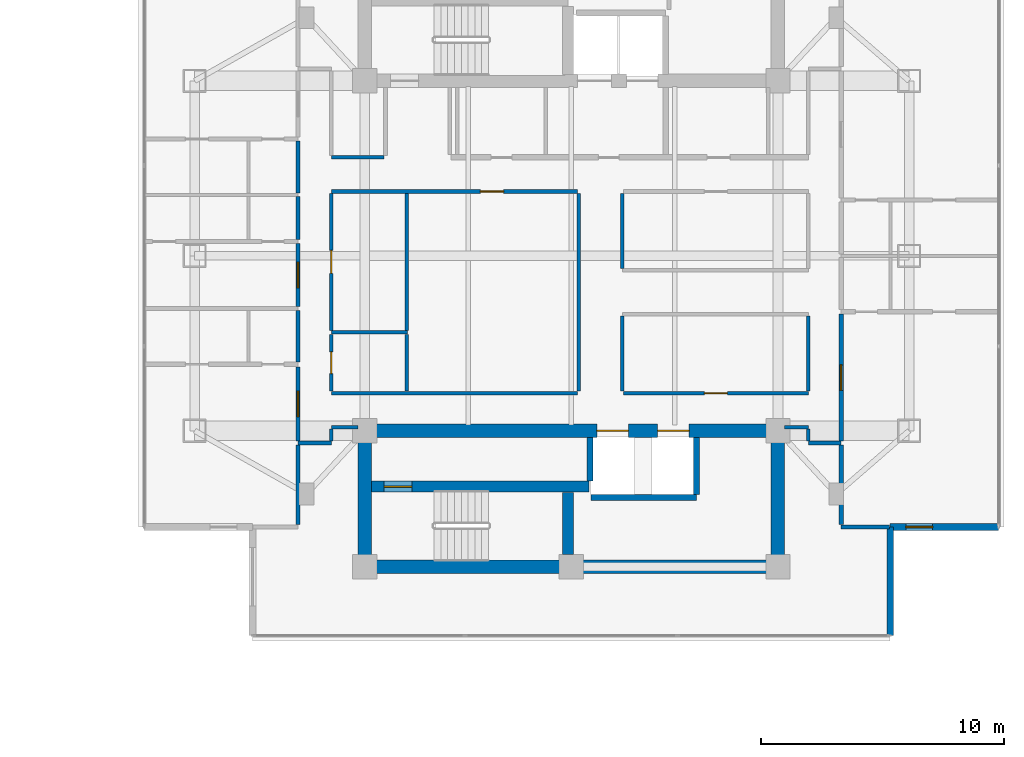
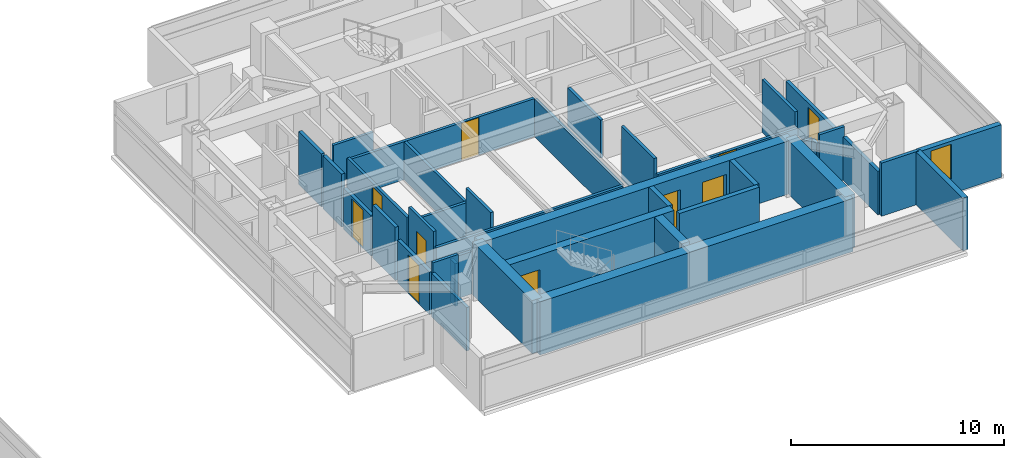
# One storey, part 16 of 24: 39 walls, 10 doors, 1 window, 11 openings.
"""IFC4 building model written with IfcOpenShell, lengths in metres."""

from ifc_helpers import new_model, si_unit, direction, frame, frame_2d, origin, place, context, subcontext, project, spatial, rectangle, extrude, material, layer, layer_set, type_object, element, fill, save


model = new_model("IFC4")

# Units and contexts
model_context = context("Model", 3, precision=1e-05, world=origin(), true_north=direction((0.0, 1.0)))
body_context = subcontext(model_context, "Body", "Model", "MODEL_VIEW")
ifc_project = project(units=[si_unit("LENGTHUNIT", "METRE"), si_unit("AREAUNIT", "SQUARE_METRE"), si_unit("VOLUMEUNIT", "CUBIC_METRE"), si_unit("PLANEANGLEUNIT", "RADIAN"), si_unit("MASSUNIT", "GRAM", prefix="KILO")], contexts=[model_context])

# Site, building, storey
site_placement = place(None, origin())
site = spatial("IfcSite", under=ifc_project, at=site_placement, CompositionType="ELEMENT")
building_placement = place(site_placement, origin())
building = spatial("IfcBuilding", under=site, at=building_placement, Name="Mirazonda Arch Towers", CompositionType="ELEMENT")
storey_placement = place(building_placement, frame((0.0, 0.0, 167.39990234375)))
storey = spatial("IfcBuildingStorey", under=building, at=storey_placement, Name="L47", CompositionType="ELEMENT", Elevation=167.39990234375)

# Wall, opening, door
ifc_material_1 = material(Name="Concrete C50/60", Category="concrete")
ifc_layer_1 = layer(ifc_material_1, 0.449951171875, Name="WALL-CORE-450")
ifc_layer_set_1 = layer_set([ifc_layer_1], Name="Concrete C50/60")
wall_type_1 = type_object("IfcWallType", Name="WALL-CORE-450", PredefinedType="SHEAR", material=ifc_layer_set_1)
wall_1_placement = place(storey_placement, frame((68.27001953125, 18.5, 0.0), z_axis=(0.0, 0.0, 1.0), x_axis=(1.0, 0.0, 0.0)))
wall_1 = element("IfcWall", 1, at=wall_1_placement, inside=storey, type_object=wall_type_1, Name="L47 Stair Core Shear Wall 013", PredefinedType="SHEAR", context=body_context, shape_type="SweptSolid", body=[
    extrude(rectangle(XDim=8.949951171875, YDim=0.449951171875, at=frame_2d((4.47509765625, 0.0))), origin(), (0.0, 0.0, 1.0), 3.050048828125),
])
opening_1_placement = place(wall_1_placement, frame((0.52001953125, 0.0, 0.0)))
opening_1 = element("IfcOpeningElement", 2, at=opening_1_placement, cuts=wall_1, Name="Opening DR-135", PredefinedType="OPENING", context=body_context, shape_type="SweptSolid", body=[
    extrude(rectangle(XDim=1.14990234375, YDim=2.199951171875, at=frame_2d((0.574951171875, 1.10009765625))), frame((0.0, 0.23486328125, 0.0), z_axis=(0.0, -1.0, 0.0), x_axis=(1.0, 0.0, 0.0)), (0.0, 0.0, 1.0), 0.469970703125),
])
ifc_material_2 = material(Name="Architectural Brushed Steel S355", Category="steel")
door_type_1 = type_object("IfcDoorType", Name="DOOR-STAIR-FD90-1150", OperationType="NOTDEFINED", PredefinedType="DOOR", material=ifc_material_2)
door_1_placement = place(opening_1_placement, origin())
door_1 = element("IfcDoor", 3, at=door_1_placement, inside=storey, type_object=door_type_1, Name="L47 East Protected Stair South Door", OperationType="SINGLE_SWING_RIGHT", OverallHeight=2.199951171875, OverallWidth=1.14990234375, PredefinedType="DOOR", context=body_context, shape_type="SweptSolid", body=[
    extrude(rectangle(XDim=1.14990234375, YDim=2.199951171875, at=frame_2d((0.574951171875, 1.10009765625))), frame((0.0, 0.02490234375, 0.0), z_axis=(0.0, -1.0, 0.0), x_axis=(1.0, 0.0, 0.0)), (0.0, 0.0, 1.0), 0.050048828125),
])
fill(opening_1, door_1)

# Walls
wall_2_placement = place(storey_placement, frame((76.360107421875, 15.715087890625, 0.0), z_axis=(0.0, 0.0, 1.0), x_axis=(0.0, 1.0, 0.0)))
element("IfcWall", 4, at=wall_2_placement, inside=storey, type_object=wall_type_1, Name="L47 Stair Core Shear Wall 137", PredefinedType="SHEAR", context=body_context, shape_type="SweptSolid", body=[
    extrude(rectangle(XDim=2.5498046875, YDim=0.449951171875, at=frame_2d((1.27490234375, 0.0))), origin(), (0.0, 0.0, 1.0), 3.050048828125),
])
ifc_layer_2 = layer(ifc_material_1, 0.550048828125, Name="WALL-CORE-550")
ifc_layer_set_2 = layer_set([ifc_layer_2], Name="Concrete C50/60")
wall_type_2 = type_object("IfcWallType", Name="WALL-CORE-550", PredefinedType="SHEAR", material=ifc_layer_set_2)
wall_3_placement = place(storey_placement, frame((68.0, 15.199951171875, 0.0), z_axis=(0.0, 0.0, 1.0), x_axis=(1.0, 0.0, 0.0)))
element("IfcWall", 5, at=wall_3_placement, inside=storey, type_object=wall_type_2, Name="L47 T2S-S Core Shear Wall", PredefinedType="SHEAR", context=body_context, shape_type="SweptSolid", body=[
    extrude(rectangle(XDim=17.0, YDim=0.550048828125, at=frame_2d((8.5, 0.0))), origin(), (0.0, 0.0, 1.0), 3.050048828125),
])
for number, where, z_axis, x_axis, name in (
    (6, (68.0, 15.199951171875, 0.0), (0.0, 0.0, 1.0), (0.0, 1.0, 0.0), "L47 T2S-W Core Shear Wall"),
    (7, (85.0, 15.199951171875, 0.0), (0.0, 0.0, 1.0), (0.0, 1.0, 0.0), "L47 T2S-E Core Shear Wall"),
):
    element("IfcWall", number, at=place(storey_placement, frame(where, z_axis=z_axis, x_axis=x_axis)), inside=storey, type_object=wall_type_2, Name=name, PredefinedType="SHEAR", context=body_context, shape_type="SweptSolid", body=[
        extrude(rectangle(XDim=5.60009765625, YDim=0.550048828125, at=frame_2d((2.800048828125, 0.0))), origin(), (0.0, 0.0, 1.0), 3.050048828125),
    ])

# Wall, openings, doors
wall_4_placement = place(storey_placement, frame((68.0, 20.800048828125, 0.0), z_axis=(0.0, 0.0, 1.0), x_axis=(1.0, 0.0, 0.0)))
wall_4 = element("IfcWall", 8, at=wall_4_placement, inside=storey, type_object=wall_type_2, Name="L47 T2S-N Core Shear Wall", PredefinedType="SHEAR", context=body_context, shape_type="SweptSolid", body=[
    extrude(rectangle(XDim=17.0, YDim=0.550048828125, at=frame_2d((8.5, 0.0))), origin(), (0.0, 0.0, 1.0), 3.050048828125),
])
opening_2_placement = place(wall_4_placement, frame((9.550048828125, 0.0, 0.0)))
opening_2 = element("IfcOpeningElement", 9, at=opening_2_placement, cuts=wall_4, Name="Opening LD-111", PredefinedType="OPENING", context=body_context, shape_type="SweptSolid", body=[
    extrude(rectangle(XDim=1.300048828125, YDim=2.300048828125, at=frame_2d((0.64990234375, 1.14990234375))), frame((0.0, 0.284912109375, 0.0), z_axis=(0.0, -1.0, 0.0), x_axis=(1.0, 0.0, 0.0)), (0.0, 0.0, 1.0), 0.570068359375),
])
opening_3_placement = place(wall_4_placement, frame((12.050048828125, 0.0, 0.0)))
opening_3 = element("IfcOpeningElement", 10, at=opening_3_placement, cuts=wall_4, Name="Opening LD-111", PredefinedType="OPENING", context=body_context, shape_type="SweptSolid", body=[
    extrude(rectangle(XDim=1.300048828125, YDim=2.300048828125, at=frame_2d((0.64990234375, 1.14990234375))), frame((0.0, 0.284912109375, 0.0), z_axis=(0.0, -1.0, 0.0), x_axis=(1.0, 0.0, 0.0)), (0.0, 0.0, 1.0), 0.570068359375),
])
door_type_2 = type_object("IfcDoorType", Name="DOOR-LIFT-LAND-1300", OperationType="NOTDEFINED", PredefinedType="DOOR", material=ifc_material_2)
door_2_placement = place(opening_2_placement, origin())
door_2 = element("IfcDoor", 11, at=door_2_placement, inside=storey, type_object=door_type_2, Name="L47 Lift Landing Sliding Door PL-T2H1", OperationType="DOUBLE_DOOR_SLIDING", OverallHeight=2.300048828125, OverallWidth=1.300048828125, PredefinedType="DOOR", context=body_context, shape_type="SweptSolid", body=[
    extrude(rectangle(XDim=1.300048828125, YDim=2.300048828125, at=frame_2d((0.64990234375, 1.14990234375))), frame((0.0, 0.02490234375, 0.0), z_axis=(0.0, -1.0, 0.0), x_axis=(1.0, 0.0, 0.0)), (0.0, 0.0, 1.0), 0.050048828125),
])
fill(opening_2, door_2)
door_3_placement = place(opening_3_placement, origin())
door_3 = element("IfcDoor", 12, at=door_3_placement, inside=storey, type_object=door_type_2, Name="L47 Lift Landing Sliding Door PL-T2H2", OperationType="DOUBLE_DOOR_SLIDING", OverallHeight=2.300048828125, OverallWidth=1.300048828125, PredefinedType="DOOR", context=body_context, shape_type="SweptSolid", body=[
    extrude(rectangle(XDim=1.300048828125, YDim=2.300048828125, at=frame_2d((0.64990234375, 1.14990234375))), frame((0.0, 0.02490234375, 0.0), z_axis=(0.0, -1.0, 0.0), x_axis=(1.0, 0.0, 0.0)), (0.0, 0.0, 1.0), 0.050048828125),
])
fill(opening_3, door_3)

# Wall, opening, window
ifc_material_3 = material(Name="Precast Concrete C40/50", Category="concrete")
ifc_layer_3 = layer(ifc_material_3, 0.280029296875, Name="WALL-EXT-WALL-280")
ifc_layer_set_3 = layer_set([ifc_layer_3], Name="Precast Concrete C40/50")
wall_type_3 = type_object("IfcWallType", Name="WALL-EXT-WALL-280", PredefinedType="SOLIDWALL", material=ifc_layer_set_3)
wall_5_placement = place(storey_placement, frame((89.619384765625, 16.840576171875, 0.0), z_axis=(0.0, 0.0, 1.0), x_axis=(1.0, 0.0, 0.0)))
wall_5 = element("IfcWall", 13, at=wall_5_placement, inside=storey, type_object=wall_type_3, Name="L47 T2 Corner Notch Return Wall WL-L47-T2-CSE1", PredefinedType="SOLIDWALL", context=body_context, shape_type="SweptSolid", body=[
    extrude(rectangle(XDim=4.465087890625, YDim=0.280029296875, at=frame_2d((2.232421875, 0.0))), origin(), (0.0, 0.0, 1.0), 3.030029296875),
])
opening_4_placement = place(wall_5_placement, frame((0.64990234375, 0.0, 0.85009765625)))
opening_4 = element("IfcOpeningElement", 14, at=opening_4_placement, cuts=wall_5, Name="Opening WN-108", PredefinedType="OPENING", context=body_context, shape_type="SweptSolid", body=[
    extrude(rectangle(XDim=1.10009765625, YDim=2.0, at=frame_2d((0.550048828125, 1.0))), frame((0.0, 0.14990234375, 0.0), z_axis=(0.0, -1.0, 0.0), x_axis=(1.0, 0.0, 0.0)), (0.0, 0.0, 1.0), 0.300048828125),
])
ifc_material_4 = material(Name="Insulated Low-E Solar Glass", Category="glass")
window_type = type_object("IfcWindowType", Name="WIN-NOTCH-1100x2000", PartitioningType="SINGLE_PANEL", PredefinedType="WINDOW", material=ifc_material_4)
window_placement = place(opening_4_placement, origin())
window = element("IfcWindow", 15, at=window_placement, inside=storey, type_object=window_type, Name="L47 Punched Facade Window WN-L47-T2-CSE1", OverallHeight=2.0, OverallWidth=1.10009765625, PartitioningType="SINGLE_PANEL", PredefinedType="WINDOW", context=body_context, shape_type="SweptSolid", body=[
    extrude(rectangle(XDim=1.10009765625, YDim=2.0, at=frame_2d((0.550048828125, 1.0))), frame((0.0, 0.030029296875, 0.0), z_axis=(0.0, -1.0, 0.0), x_axis=(1.0, 0.0, 0.0)), (0.0, 0.0, 1.0), 0.06005859375),
])
fill(opening_4, window)

# Walls
wall_6_placement = place(storey_placement, frame((89.619384765625, 12.375244140625, 0.0), z_axis=(0.0, 0.0, 1.0), x_axis=(0.0, 1.0, 0.0)))
element("IfcWall", 16, at=wall_6_placement, inside=storey, type_object=wall_type_3, Name="L47 T2 Corner Notch Return Wall WL-L47-T2-CSE2", PredefinedType="SOLIDWALL", context=body_context, shape_type="SweptSolid", body=[
    extrude(rectangle(XDim=4.46533203125, YDim=0.280029296875, at=frame_2d((2.232666015625, 0.0))), origin(), (0.0, 0.0, 1.0), 3.030029296875),
])
ifc_material_5 = material(Name="Fire-Rated Gypsum Stud Partition")
ifc_layer_4 = layer(ifc_material_5, 0.14990234375, Name="WALL-PART-CORR-150")
ifc_layer_set_4 = layer_set([ifc_layer_4], Name="Fire-Rated Gypsum Stud Partition")
wall_type_4 = type_object("IfcWallType", Name="WALL-PART-CORR-150", PredefinedType="PARTITIONING", material=ifc_layer_set_4)
wall_7_placement = place(storey_placement, frame((65.25, 20.300048828125, 0.0), z_axis=(0.0, 0.0, 1.0), x_axis=(1.0, 0.0, 0.0)))
element("IfcWall", 17, at=wall_7_placement, inside=storey, type_object=wall_type_4, Name="L47 Interior Partition 016", PredefinedType="PARTITIONING", context=body_context, shape_type="SweptSolid", body=[
    extrude(rectangle(XDim=1.3701171875, YDim=0.14990234375, at=frame_2d((0.68505859375, 0.0))), origin(), (0.0, 0.0, 1.0), 3.050048828125),
])
wall_8_placement = place(storey_placement, frame((86.25, 20.300048828125, 0.0), z_axis=(0.0, 0.0, 1.0), x_axis=(1.0, 0.0, 0.0)))
element("IfcWall", 18, at=wall_8_placement, inside=storey, type_object=wall_type_4, Name="L47 Interior Partition 017", PredefinedType="PARTITIONING", context=body_context, shape_type="SweptSolid", body=[
    extrude(rectangle(XDim=1.35009765625, YDim=0.14990234375, at=frame_2d((0.675048828125, 0.0))), origin(), (0.0, 0.0, 1.0), 3.050048828125),
])
wall_9_placement = place(storey_placement, frame((66.6201171875, 20.949951171875, 0.0), z_axis=(0.0, 0.0, 1.0), x_axis=(1.0, 0.0, 0.0)))
element("IfcWall", 19, at=wall_9_placement, inside=storey, type_object=wall_type_4, Name="L47 Interior Partition 018", PredefinedType="PARTITIONING", context=body_context, shape_type="SweptSolid", body=[
    extrude(rectangle(XDim=1.10986328125, YDim=0.14990234375, at=frame_2d((0.554931640625, 0.0))), origin(), (0.0, 0.0, 1.0), 2.442138671875),
])
wall_10_placement = place(storey_placement, frame((85.27001953125, 20.949951171875, 0.0), z_axis=(0.0, 0.0, 1.0), x_axis=(1.0, 0.0, 0.0)))
element("IfcWall", 20, at=wall_10_placement, inside=storey, type_object=wall_type_4, Name="L47 Interior Partition 019", PredefinedType="PARTITIONING", context=body_context, shape_type="SweptSolid", body=[
    extrude(rectangle(XDim=0.97998046875, YDim=0.14990234375, at=frame_2d((0.489990234375, 0.0))), origin(), (0.0, 0.0, 1.0), 2.442138671875),
])
wall_11_placement = place(storey_placement, frame((66.6201171875, 22.35009765625, 0.0), z_axis=(0.0, 0.0, 1.0), x_axis=(1.0, 0.0, 0.0)))
element("IfcWall", 21, at=wall_11_placement, inside=storey, type_object=wall_type_4, Name="L47 Interior Partition 021", PredefinedType="PARTITIONING", context=body_context, shape_type="SweptSolid", body=[
    extrude(rectangle(XDim=10.139892578125, YDim=0.14990234375, at=frame_2d((5.06982421875, 0.0))), origin(), (0.0, 0.0, 1.0), 2.18603515625),
])

# Wall, opening, door
wall_12_placement = place(storey_placement, frame((78.639892578125, 22.35009765625, 0.0), z_axis=(0.0, 0.0, 1.0), x_axis=(1.0, 0.0, 0.0)))
wall_12 = element("IfcWall", 22, at=wall_12_placement, inside=storey, type_object=wall_type_4, Name="L47 Interior Partition 022", PredefinedType="PARTITIONING", context=body_context, shape_type="SweptSolid", body=[
    extrude(rectangle(XDim=7.610107421875, YDim=0.14990234375, at=frame_2d((3.80517578125, 0.0))), origin(), (0.0, 0.0, 1.0), 2.18603515625),
])
opening_5_placement = place(wall_12_placement, frame((3.330078125, 0.0, 0.0)))
opening_5 = element("IfcOpeningElement", 23, at=opening_5_placement, cuts=wall_12, Name="Opening DR-104", PredefinedType="OPENING", context=body_context, shape_type="SweptSolid", body=[
    extrude(rectangle(XDim=0.949951171875, YDim=2.14990234375, at=frame_2d((0.47509765625, 1.074951171875))), frame((0.0, 0.0849609375, 0.0), z_axis=(0.0, -1.0, 0.0), x_axis=(1.0, 0.0, 0.0)), (0.0, 0.0, 1.0), 0.169921875),
])
door_type_3 = type_object("IfcDoorType", Name="DOOR-ROOM-950", OperationType="NOTDEFINED", PredefinedType="DOOR", material=ifc_material_2)
door_4_placement = place(opening_5_placement, origin())
door_4 = element("IfcDoor", 24, at=door_4_placement, inside=storey, type_object=door_type_3, Name="L47 L47 Tower 2 South-East Salon Door", OperationType="SINGLE_SWING_LEFT", OverallHeight=2.14990234375, OverallWidth=0.949951171875, PredefinedType="DOOR", context=body_context, shape_type="SweptSolid", body=[
    extrude(rectangle(XDim=0.949951171875, YDim=2.14990234375, at=frame_2d((0.47509765625, 1.074951171875))), frame((0.0, 0.02490234375, 0.0), z_axis=(0.0, -1.0, 0.0), x_axis=(1.0, 0.0, 0.0)), (0.0, 0.0, 1.0), 0.050048828125),
])
fill(opening_5, door_4)

# Wall
wall_13_placement = place(storey_placement, frame((66.6201171875, 24.85009765625, 0.0), z_axis=(0.0, 0.0, 1.0), x_axis=(1.0, 0.0, 0.0)))
element("IfcWall", 25, at=wall_13_placement, inside=storey, type_object=wall_type_4, Name="L47 Interior Partition 025", PredefinedType="PARTITIONING", context=body_context, shape_type="SweptSolid", body=[
    extrude(rectangle(XDim=3.1298828125, YDim=0.14990234375, at=frame_2d((1.56494140625, 0.0))), origin(), (0.0, 0.0, 1.0), 2.18603515625),
])

# Wall, opening, door
wall_14_placement = place(storey_placement, frame((66.6201171875, 30.64990234375, 0.0), z_axis=(0.0, 0.0, 1.0), x_axis=(1.0, 0.0, 0.0)))
wall_14 = element("IfcWall", 26, at=wall_14_placement, inside=storey, type_object=wall_type_4, Name="L47 Interior Partition 039", PredefinedType="PARTITIONING", context=body_context, shape_type="SweptSolid", body=[
    extrude(rectangle(XDim=10.139892578125, YDim=0.14990234375, at=frame_2d((5.06982421875, 0.0))), origin(), (0.0, 0.0, 1.0), 2.18603515625),
])
opening_6_placement = place(wall_14_placement, frame((6.139892578125, 0.0, 0.0)))
opening_6 = element("IfcOpeningElement", 27, at=opening_6_placement, cuts=wall_14, Name="Opening DR-104", PredefinedType="OPENING", context=body_context, shape_type="SweptSolid", body=[
    extrude(rectangle(XDim=0.949951171875, YDim=2.14990234375, at=frame_2d((0.47509765625, 1.074951171875))), frame((0.0, 0.0849609375, 0.0), z_axis=(0.0, -1.0, 0.0), x_axis=(1.0, 0.0, 0.0)), (0.0, 0.0, 1.0), 0.169921875),
])
door_5_placement = place(opening_6_placement, origin())
door_5 = element("IfcDoor", 28, at=door_5_placement, inside=storey, type_object=door_type_3, Name="L47 L47 East Courtyard Study Door", OperationType="SINGLE_SWING_RIGHT", OverallHeight=2.14990234375, OverallWidth=0.949951171875, PredefinedType="DOOR", context=body_context, shape_type="SweptSolid", body=[
    extrude(rectangle(XDim=0.949951171875, YDim=2.14990234375, at=frame_2d((0.47509765625, 1.074951171875))), frame((0.0, 0.02490234375, 0.0), z_axis=(0.0, -1.0, 0.0), x_axis=(1.0, 0.0, 0.0)), (0.0, 0.0, 1.0), 0.050048828125),
])
fill(opening_6, door_5)

# Walls
wall_15_placement = place(storey_placement, frame((66.6201171875, 32.050048828125, 0.0), z_axis=(0.0, 0.0, 1.0), x_axis=(1.0, 0.0, 0.0)))
element("IfcWall", 29, at=wall_15_placement, inside=storey, type_object=wall_type_4, Name="L47 Interior Partition 042", PredefinedType="PARTITIONING", context=body_context, shape_type="SweptSolid", body=[
    extrude(rectangle(XDim=2.179931640625, YDim=0.14990234375, at=frame_2d((1.08984375, 0.0))), origin(), (0.0, 0.0, 1.0), 2.18603515625),
])
wall_16_placement = place(storey_placement, frame((66.6201171875, 20.385009765625, 0.0), z_axis=(0.0, 0.0, 1.0), x_axis=(0.0, 1.0, 0.0)))
element("IfcWall", 30, at=wall_16_placement, inside=storey, type_object=wall_type_4, Name="L47 Interior Partition 127", PredefinedType="PARTITIONING", context=body_context, shape_type="SweptSolid", body=[
    extrude(rectangle(XDim=0.47998046875, YDim=0.14990234375, at=frame_2d((0.239990234375, 0.0))), origin(), (0.0, 0.0, 1.0), 2.442138671875),
])

# Wall, opening, door
wall_17_placement = place(storey_placement, frame((66.6201171875, 22.43505859375, 0.0), z_axis=(0.0, 0.0, 1.0), x_axis=(0.0, 1.0, 0.0)))
wall_17 = element("IfcWall", 31, at=wall_17_placement, inside=storey, type_object=wall_type_4, Name="L47 Interior Partition 128", PredefinedType="PARTITIONING", context=body_context, shape_type="SweptSolid", body=[
    extrude(rectangle(XDim=2.329833984375, YDim=0.14990234375, at=frame_2d((1.1650390625, 0.0))), origin(), (0.0, 0.0, 1.0), 3.050048828125),
])
opening_7_placement = place(wall_17_placement, frame((0.715087890625, 0.0, 0.0)))
opening_7 = element("IfcOpeningElement", 32, at=opening_7_placement, cuts=wall_17, Name="Opening DR-120", PredefinedType="OPENING", context=body_context, shape_type="SweptSolid", body=[
    extrude(rectangle(XDim=0.89990234375, YDim=2.10009765625, at=frame_2d((0.449951171875, 1.050048828125))), frame((0.0, 0.0849609375, 0.0), z_axis=(0.0, -1.0, 0.0), x_axis=(1.0, 0.0, 0.0)), (0.0, 0.0, 1.0), 0.169921875),
])
door_type_4 = type_object("IfcDoorType", Name="DOOR-WC-900", OperationType="NOTDEFINED", PredefinedType="DOOR", material=ifc_material_2)
door_6_placement = place(opening_7_placement, origin())
door_6 = element("IfcDoor", 33, at=door_6_placement, inside=storey, type_object=door_type_4, Name="L47 Tower 2 Common Accessible WC Door", OperationType="SINGLE_SWING_LEFT", OverallHeight=2.10009765625, OverallWidth=0.89990234375, PredefinedType="DOOR", context=body_context, shape_type="SweptSolid", body=[
    extrude(rectangle(XDim=0.89990234375, YDim=2.10009765625, at=frame_2d((0.449951171875, 1.050048828125))), frame((0.0, 0.02490234375, 0.0), z_axis=(0.0, -1.0, 0.0), x_axis=(1.0, 0.0, 0.0)), (0.0, 0.0, 1.0), 0.050048828125),
])
fill(opening_7, door_6)

wall_18_placement = place(storey_placement, frame((66.6201171875, 24.93505859375, 0.0), z_axis=(0.0, 0.0, 1.0), x_axis=(0.0, 1.0, 0.0)))
wall_18 = element("IfcWall", 34, at=wall_18_placement, inside=storey, type_object=wall_type_4, Name="L47 Interior Partition 129", PredefinedType="PARTITIONING", context=body_context, shape_type="SweptSolid", body=[
    extrude(rectangle(XDim=5.6298828125, YDim=0.14990234375, at=frame_2d((2.81494140625, 0.0))), origin(), (0.0, 0.0, 1.0), 2.34619140625),
])
opening_8_placement = place(wall_18_placement, frame((2.340087890625, 0.0, 0.0)))
opening_8 = element("IfcOpeningElement", 35, at=opening_8_placement, cuts=wall_18, Name="Opening DR-104", PredefinedType="OPENING", context=body_context, shape_type="SweptSolid", body=[
    extrude(rectangle(XDim=0.949951171875, YDim=2.14990234375, at=frame_2d((0.47509765625, 1.074951171875))), frame((0.0, 0.0849609375, 0.0), z_axis=(0.0, -1.0, 0.0), x_axis=(1.0, 0.0, 0.0)), (0.0, 0.0, 1.0), 0.169921875),
])
door_7_placement = place(opening_8_placement, origin())
door_7 = element("IfcDoor", 36, at=door_7_placement, inside=storey, type_object=door_type_3, Name="L47 L47 East Courtyard Reading Study Door", OperationType="SINGLE_SWING_LEFT", OverallHeight=2.14990234375, OverallWidth=0.949951171875, PredefinedType="DOOR", context=body_context, shape_type="SweptSolid", body=[
    extrude(rectangle(XDim=0.949951171875, YDim=2.14990234375, at=frame_2d((0.47509765625, 1.074951171875))), frame((0.0, 0.02490234375, 0.0), z_axis=(0.0, -1.0, 0.0), x_axis=(1.0, 0.0, 0.0)), (0.0, 0.0, 1.0), 0.050048828125),
])
fill(opening_8, door_7)

# Walls
wall_19_placement = place(storey_placement, frame((69.723388671875, 22.43505859375, 0.0), z_axis=(0.0, 0.0, 1.0), x_axis=(0.0, 1.0, 0.0)))
element("IfcWall", 37, at=wall_19_placement, inside=storey, type_object=wall_type_4, Name="L47 Interior Partition 132", PredefinedType="PARTITIONING", context=body_context, shape_type="SweptSolid", body=[
    extrude(rectangle(XDim=2.329833984375, YDim=0.14990234375, at=frame_2d((1.1650390625, 0.0))), origin(), (0.0, 0.0, 1.0), 3.050048828125),
])
wall_20_placement = place(storey_placement, frame((69.723388671875, 24.93505859375, 0.0), z_axis=(0.0, 0.0, 1.0), x_axis=(0.0, 1.0, 0.0)))
element("IfcWall", 38, at=wall_20_placement, inside=storey, type_object=wall_type_4, Name="L47 Interior Partition 133", PredefinedType="PARTITIONING", context=body_context, shape_type="SweptSolid", body=[
    extrude(rectangle(XDim=5.6298828125, YDim=0.14990234375, at=frame_2d((2.81494140625, 0.0))), origin(), (0.0, 0.0, 1.0), 2.18603515625),
])
wall_21_placement = place(storey_placement, frame((76.800048828125, 22.43505859375, 0.0), z_axis=(0.0, 0.0, 1.0), x_axis=(0.0, 1.0, 0.0)))
element("IfcWall", 39, at=wall_21_placement, inside=storey, type_object=wall_type_4, Name="L47 Interior Partition 139", PredefinedType="PARTITIONING", context=body_context, shape_type="SweptSolid", body=[
    extrude(rectangle(XDim=8.1298828125, YDim=0.14990234375, at=frame_2d((4.06494140625, 0.0))), origin(), (0.0, 0.0, 1.0), 2.18603515625),
])
wall_22_placement = place(storey_placement, frame((78.60009765625, 22.43505859375, 0.0), z_axis=(0.0, 0.0, 1.0), x_axis=(0.0, 1.0, 0.0)))
element("IfcWall", 40, at=wall_22_placement, inside=storey, type_object=wall_type_4, Name="L47 Interior Partition 141", PredefinedType="PARTITIONING", context=body_context, shape_type="SweptSolid", body=[
    extrude(rectangle(XDim=3.079833984375, YDim=0.14990234375, at=frame_2d((1.5400390625, 0.0))), origin(), (0.0, 0.0, 1.0), 3.050048828125),
])
wall_23_placement = place(storey_placement, frame((78.60009765625, 27.485107421875, 0.0), z_axis=(0.0, 0.0, 1.0), x_axis=(0.0, 1.0, 0.0)))
element("IfcWall", 41, at=wall_23_placement, inside=storey, type_object=wall_type_4, Name="L47 Interior Partition 142", PredefinedType="PARTITIONING", context=body_context, shape_type="SweptSolid", body=[
    extrude(rectangle(XDim=3.079833984375, YDim=0.14990234375, at=frame_2d((1.5400390625, 0.0))), origin(), (0.0, 0.0, 1.0), 2.18603515625),
])
wall_24_placement = place(storey_placement, frame((86.25, 20.385009765625, 0.0), z_axis=(0.0, 0.0, 1.0), x_axis=(0.0, 1.0, 0.0)))
element("IfcWall", 42, at=wall_24_placement, inside=storey, type_object=wall_type_4, Name="L47 Interior Partition 148", PredefinedType="PARTITIONING", context=body_context, shape_type="SweptSolid", body=[
    extrude(rectangle(XDim=0.47998046875, YDim=0.14990234375, at=frame_2d((0.239990234375, 0.0))), origin(), (0.0, 0.0, 1.0), 2.442138671875),
])
wall_25_placement = place(storey_placement, frame((86.25, 22.43505859375, 0.0), z_axis=(0.0, 0.0, 1.0), x_axis=(0.0, 1.0, 0.0)))
element("IfcWall", 43, at=wall_25_placement, inside=storey, type_object=wall_type_4, Name="L47 Interior Partition 149", PredefinedType="PARTITIONING", context=body_context, shape_type="SweptSolid", body=[
    extrude(rectangle(XDim=3.079833984375, YDim=0.14990234375, at=frame_2d((1.5400390625, 0.0))), origin(), (0.0, 0.0, 1.0), 3.050048828125),
])
ifc_material_6 = material(Name="Fire-Rated Gypsum Twin-Stud Assembly")
ifc_layer_5 = layer(ifc_material_6, 0.179931640625, Name="WALL-PART-DEMISE-180")
ifc_layer_set_5 = layer_set([ifc_layer_5], Name="Fire-Rated Gypsum Twin-Stud Assembly")
wall_type_5 = type_object("IfcWallType", Name="WALL-PART-DEMISE-180", PredefinedType="PARTITIONING", material=ifc_layer_set_5)
wall_26_placement = place(storey_placement, frame((87.60009765625, 16.840087890625, 0.0), z_axis=(0.0, 0.0, 1.0), x_axis=(1.0, 0.0, 0.0)))
element("IfcWall", 44, at=wall_26_placement, inside=storey, type_object=wall_type_5, Name="L47 Interior Partition 009", PredefinedType="PARTITIONING", context=body_context, shape_type="SweptSolid", body=[
    extrude(rectangle(XDim=1.999267578125, YDim=0.179931640625, at=frame_2d((0.99951171875, 0.0))), origin(), (0.0, 0.0, 1.0), 3.050048828125),
])
wall_27_placement = place(storey_placement, frame((65.25, 16.93994140625, 0.0), z_axis=(0.0, 0.0, 1.0), x_axis=(0.0, 1.0, 0.0)))
element("IfcWall", 45, at=wall_27_placement, inside=storey, type_object=wall_type_5, Name="L47 Interior Partition 119", PredefinedType="PARTITIONING", context=body_context, shape_type="SweptSolid", body=[
    extrude(rectangle(XDim=3.275146484375, YDim=0.179931640625, at=frame_2d((1.6376953125, 0.0))), origin(), (0.0, 0.0, 1.0), 2.4931640625),
])

# Wall, opening, door
wall_28_placement = place(storey_placement, frame((65.25, 20.385009765625, 0.0), z_axis=(0.0, 0.0, 1.0), x_axis=(0.0, 1.0, 0.0)))
wall_28 = element("IfcWall", 46, at=wall_28_placement, inside=storey, type_object=wall_type_5, Name="L47 Interior Partition 120", PredefinedType="PARTITIONING", context=body_context, shape_type="SweptSolid", body=[
    extrude(rectangle(XDim=3.049072265625, YDim=0.179931640625, at=frame_2d((1.5244140625, 0.0))), origin(), (0.0, 0.0, 1.0), 2.442138671875),
])
opening_9_placement = place(wall_28_placement, frame((0.99951171875, 0.0, 0.0)))
opening_9 = element("IfcOpeningElement", 47, at=opening_9_placement, cuts=wall_28, Name="Opening DR-121", PredefinedType="OPENING", context=body_context, shape_type="SweptSolid", body=[
    extrude(rectangle(XDim=1.050048828125, YDim=2.199951171875, at=frame_2d((0.52490234375, 1.10009765625))), frame((0.0, 0.099853515625, 0.0), z_axis=(0.0, -1.0, 0.0), x_axis=(1.0, 0.0, 0.0)), (0.0, 0.0, 1.0), 0.199951171875),
])
door_type_5 = type_object("IfcDoorType", Name="DOOR-SUITE-FD60-1050", OperationType="NOTDEFINED", PredefinedType="DOOR", material=ifc_material_2)
door_8_placement = place(opening_9_placement, origin())
door_8 = element("IfcDoor", 48, at=door_8_placement, inside=storey, type_object=door_type_5, Name="L47 Studio Apartment 1 Living Salon Door", OperationType="SINGLE_SWING_RIGHT", OverallHeight=2.199951171875, OverallWidth=1.050048828125, PredefinedType="DOOR", context=body_context, shape_type="SweptSolid", body=[
    extrude(rectangle(XDim=1.050048828125, YDim=2.199951171875, at=frame_2d((0.52490234375, 1.10009765625))), frame((0.0, 0.02490234375, 0.0), z_axis=(0.0, -1.0, 0.0), x_axis=(1.0, 0.0, 0.0)), (0.0, 0.0, 1.0), 0.050048828125),
])
fill(opening_9, door_8)

# Wall
wall_29_placement = place(storey_placement, frame((65.25, 23.634033203125, 0.0), z_axis=(0.0, 0.0, 1.0), x_axis=(0.0, 1.0, 0.0)))
element("IfcWall", 49, at=wall_29_placement, inside=storey, type_object=wall_type_5, Name="L47 Interior Partition 121", PredefinedType="PARTITIONING", context=body_context, shape_type="SweptSolid", body=[
    extrude(rectangle(XDim=2.114990234375, YDim=0.179931640625, at=frame_2d((1.0576171875, 0.0))), origin(), (0.0, 0.0, 1.0), 3.050048828125),
])

# Wall, opening, door
wall_30_placement = place(storey_placement, frame((65.25, 25.9189453125, 0.0), z_axis=(0.0, 0.0, 1.0), x_axis=(0.0, 1.0, 0.0)))
wall_30 = element("IfcWall", 50, at=wall_30_placement, inside=storey, type_object=wall_type_5, Name="L47 Interior Partition 122", PredefinedType="PARTITIONING", context=body_context, shape_type="SweptSolid", body=[
    extrude(rectangle(XDim=2.583984375, YDim=0.179931640625, at=frame_2d((1.2919921875, 0.0))), origin(), (0.0, 0.0, 1.0), 2.34619140625),
])
opening_10_placement = place(wall_30_placement, frame((0.76708984375, 0.0, 0.0)))
opening_10 = element("IfcOpeningElement", 51, at=opening_10_placement, cuts=wall_30, Name="Opening DR-121", PredefinedType="OPENING", context=body_context, shape_type="SweptSolid", body=[
    extrude(rectangle(XDim=1.050048828125, YDim=2.199951171875, at=frame_2d((0.52490234375, 1.10009765625))), frame((0.0, 0.099853515625, 0.0), z_axis=(0.0, -1.0, 0.0), x_axis=(1.0, 0.0, 0.0)), (0.0, 0.0, 1.0), 0.199951171875),
])
door_9_placement = place(opening_10_placement, origin())
door_9 = element("IfcDoor", 52, at=door_9_placement, inside=storey, type_object=door_type_5, Name="L47 Studio Apartment 2 Living Salon Door", OperationType="SINGLE_SWING_LEFT", OverallHeight=2.199951171875, OverallWidth=1.050048828125, PredefinedType="DOOR", context=body_context, shape_type="SweptSolid", body=[
    extrude(rectangle(XDim=1.050048828125, YDim=2.199951171875, at=frame_2d((0.52490234375, 1.10009765625))), frame((0.0, 0.02490234375, 0.0), z_axis=(0.0, -1.0, 0.0), x_axis=(1.0, 0.0, 0.0)), (0.0, 0.0, 1.0), 0.050048828125),
])
fill(opening_10, door_9)

# Walls
wall_31_placement = place(storey_placement, frame((65.25, 28.673095703125, 0.0), z_axis=(0.0, 0.0, 1.0), x_axis=(0.0, 1.0, 0.0)))
element("IfcWall", 53, at=wall_31_placement, inside=storey, type_object=wall_type_5, Name="L47 Interior Partition 123", PredefinedType="PARTITIONING", context=body_context, shape_type="SweptSolid", body=[
    extrude(rectangle(XDim=1.762451171875, YDim=0.179931640625, at=frame_2d((0.88134765625, 0.0))), origin(), (0.0, 0.0, 1.0), 3.050048828125),
])
wall_32_placement = place(storey_placement, frame((65.25, 30.58056640625, 0.0), z_axis=(0.0, 0.0, 1.0), x_axis=(0.0, 1.0, 0.0)))
element("IfcWall", 54, at=wall_32_placement, inside=storey, type_object=wall_type_5, Name="L47 Interior Partition 124", PredefinedType="PARTITIONING", context=body_context, shape_type="SweptSolid", body=[
    extrude(rectangle(XDim=2.142333984375, YDim=0.179931640625, at=frame_2d((1.0712890625, 0.0))), origin(), (0.0, 0.0, 1.0), 3.050048828125),
])
wall_33_placement = place(storey_placement, frame((87.60009765625, 16.93994140625, 0.0), z_axis=(0.0, 0.0, 1.0), x_axis=(0.0, 1.0, 0.0)))
element("IfcWall", 55, at=wall_33_placement, inside=storey, type_object=wall_type_5, Name="L47 Interior Partition 152", PredefinedType="PARTITIONING", context=body_context, shape_type="SweptSolid", body=[
    extrude(rectangle(XDim=3.275146484375, YDim=0.179931640625, at=frame_2d((1.6376953125, 0.0))), origin(), (0.0, 0.0, 1.0), 2.4931640625),
])

# Wall, opening, door
wall_34_placement = place(storey_placement, frame((87.60009765625, 20.385009765625, 0.0), z_axis=(0.0, 0.0, 1.0), x_axis=(0.0, 1.0, 0.0)))
wall_34 = element("IfcWall", 56, at=wall_34_placement, inside=storey, type_object=wall_type_5, Name="L47 Interior Partition 153", PredefinedType="PARTITIONING", context=body_context, shape_type="SweptSolid", body=[
    extrude(rectangle(XDim=5.215087890625, YDim=0.179931640625, at=frame_2d((2.607421875, 0.0))), origin(), (0.0, 0.0, 1.0), 2.442138671875),
])
opening_11_placement = place(wall_34_placement, frame((2.08251953125, 0.0, 0.0)))
opening_11 = element("IfcOpeningElement", 57, at=opening_11_placement, cuts=wall_34, Name="Opening DR-121", PredefinedType="OPENING", context=body_context, shape_type="SweptSolid", body=[
    extrude(rectangle(XDim=1.050048828125, YDim=2.199951171875, at=frame_2d((0.52490234375, 1.10009765625))), frame((0.0, 0.099853515625, 0.0), z_axis=(0.0, -1.0, 0.0), x_axis=(1.0, 0.0, 0.0)), (0.0, 0.0, 1.0), 0.199951171875),
])
door_10_placement = place(opening_11_placement, origin())
door_10 = element("IfcDoor", 58, at=door_10_placement, inside=storey, type_object=door_type_5, Name="L47 Studio Apartment 1 Living Salon Door", OperationType="SINGLE_SWING_LEFT", OverallHeight=2.199951171875, OverallWidth=1.050048828125, PredefinedType="DOOR", context=body_context, shape_type="SweptSolid", body=[
    extrude(rectangle(XDim=1.050048828125, YDim=2.199951171875, at=frame_2d((0.52490234375, 1.10009765625))), frame((0.0, 0.02490234375, 0.0), z_axis=(0.0, -1.0, 0.0), x_axis=(1.0, 0.0, 0.0)), (0.0, 0.0, 1.0), 0.050048828125),
])
fill(opening_11, door_10)

# Walls
ifc_material_7 = material(Name="Concrete C40/50", Category="concrete")
ifc_layer_6 = layer(ifc_material_7, 0.25, Name="WALL-SHAFT-250")
ifc_layer_set_6 = layer_set([ifc_layer_6], Name="Concrete C40/50")
wall_type_6 = type_object("IfcWallType", Name="WALL-SHAFT-250", PredefinedType="SOLIDWALL", material=ifc_layer_set_6)
wall_35_placement = place(storey_placement, frame((77.300048828125, 18.050048828125, 0.0), z_axis=(0.0, 0.0, 1.0), x_axis=(1.0, 0.0, 0.0)))
element("IfcWall", 59, at=wall_35_placement, inside=storey, type_object=wall_type_6, Name="L47 Interior Partition 010", PredefinedType="SOLIDWALL", context=body_context, shape_type="SweptSolid", body=[
    extrude(rectangle(XDim=4.349853515625, YDim=0.25, at=frame_2d((2.1748046875, 0.0))), origin(), (0.0, 0.0, 1.0), 3.050048828125),
])
wall_36_placement = place(storey_placement, frame((77.260009765625, 18.735107421875, 0.0), z_axis=(0.0, 0.0, 1.0), x_axis=(0.0, 1.0, 0.0)))
element("IfcWall", 60, at=wall_36_placement, inside=storey, type_object=wall_type_6, Name="L47 Interior Partition 140", PredefinedType="SOLIDWALL", context=body_context, shape_type="SweptSolid", body=[
    extrude(rectangle(XDim=1.794921875, YDim=0.25, at=frame_2d((0.8974609375, 0.0))), origin(), (0.0, 0.0, 1.0), 3.050048828125),
])
wall_37_placement = place(storey_placement, frame((81.64990234375, 18.18505859375, 0.0), z_axis=(0.0, 0.0, 1.0), x_axis=(0.0, 1.0, 0.0)))
element("IfcWall", 61, at=wall_37_placement, inside=storey, type_object=wall_type_6, Name="L47 Interior Partition 146", PredefinedType="SOLIDWALL", context=body_context, shape_type="SweptSolid", body=[
    extrude(rectangle(XDim=2.344970703125, YDim=0.25, at=frame_2d((1.17236328125, 0.0))), origin(), (0.0, 0.0, 1.0), 3.050048828125),
])

save(model, "model.ifc")
